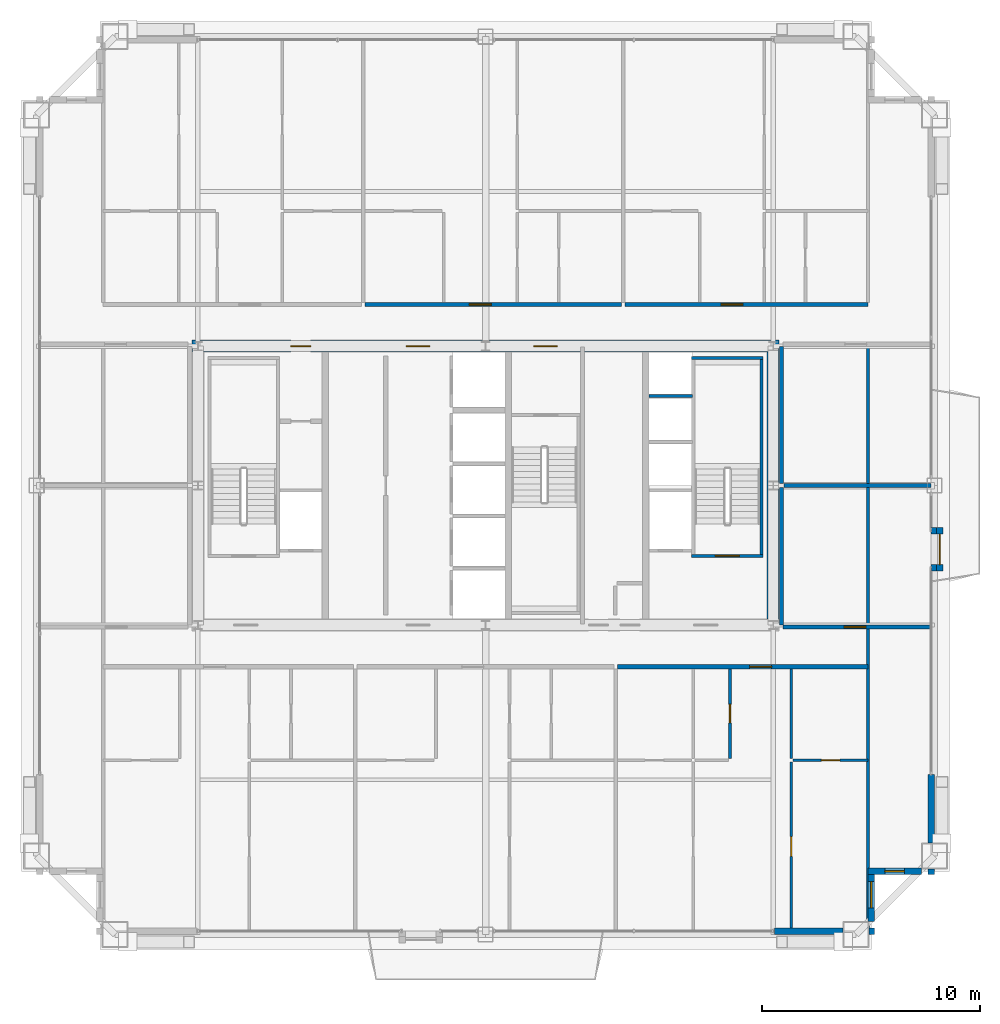
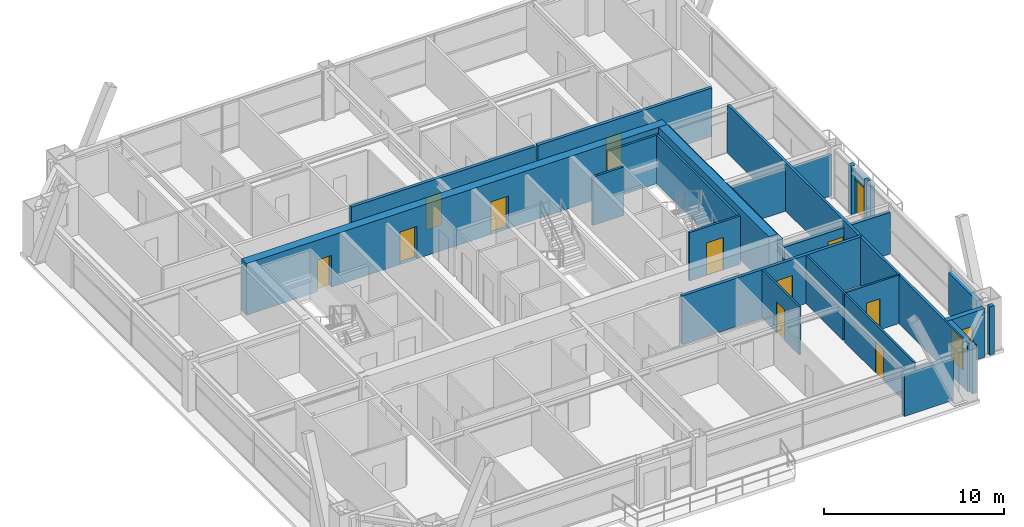
# One storey, part 32 of 35: 27 walls, 12 doors, 2 windows, 14 openings.
"""IFC4 building model written with IfcOpenShell, lengths in metres."""

from ifc_helpers import new_model, si_unit, direction, frame, frame_2d, origin, place, context, subcontext, project, spatial, rectangle, extrude, source, transform, mapped, material, layer, layer_set, type_object, element, fill, save


model = new_model("IFC4")

# Units and contexts
model_context = context("Model", 3, precision=1e-05, world=origin(), true_north=direction((0.0, 1.0)))
body_context = subcontext(model_context, "Body", "Model", "MODEL_VIEW")
ifc_project = project(units=[si_unit("LENGTHUNIT", "METRE"), si_unit("AREAUNIT", "SQUARE_METRE"), si_unit("VOLUMEUNIT", "CUBIC_METRE"), si_unit("PLANEANGLEUNIT", "RADIAN"), si_unit("MASSUNIT", "GRAM", prefix="KILO"), si_unit("THERMODYNAMICTEMPERATUREUNIT", "KELVIN"), si_unit("POWERUNIT", "WATT")], contexts=[model_context])

# Site, building, storey
site_placement = place(None, origin())
site = spatial("IfcSite", under=ifc_project, at=site_placement, CompositionType="ELEMENT")
building_placement = place(site_placement, origin())
building = spatial("IfcBuilding", under=site, at=building_placement, Name="Yuzanri Waterfront Tower", CompositionType="ELEMENT")
storey_placement = place(building_placement, frame((0.0, 0.0, 248.60009765625)))
storey = spatial("IfcBuildingStorey", under=building, at=storey_placement, Name="L66", CompositionType="ELEMENT", Elevation=248.60009765625)

# Wall, opening, door
ifc_material_1 = material(Name="Moisture-Resistant Gypsum Stud Wall", Category="gypsum")
ifc_layer_1 = layer(ifc_material_1, 0.1201171875)
ifc_layer_set_1 = layer_set([ifc_layer_1], Name="Moisture-Resistant Gypsum Stud Wall")
wall_type_1 = type_object("IfcWallType", Name="Bathroom and Kitchen Wet Partition 120", PredefinedType="PARTITIONING", material=ifc_layer_set_1)
wall_1_placement = place(storey_placement, frame((48.218994140625, 13.280029296875, 0.0), z_axis=(0.0, 0.0, 1.0), x_axis=(0.0, 1.0, 0.0)))
wall_1 = element("IfcWall", 1, at=wall_1_placement, inside=storey, type_object=wall_type_1, Name="L66 Partition UW-L66-RS3-SUB-2-E", PredefinedType="PARTITIONING", context=body_context, shape_type="SweptSolid", body=[
    extrude(rectangle(XDim=4.10986328125, YDim=0.1201171875, at=frame_2d((2.054931640625, 0.0))), origin(), (0.0, 0.0, 1.0), 3.27978515625),
])
opening_1_placement = place(wall_1_placement, frame((1.6298828125, 0.0, 0.0)))
opening_1 = element("IfcOpeningElement", 2, at=opening_1_placement, cuts=wall_1, Name="Opening ID-0850", PredefinedType="OPENING", context=body_context, shape_type="SweptSolid", body=[
    extrude(rectangle(XDim=0.85009765625, YDim=2.10009765625, at=frame_2d((0.425048828125, 1.050048828125))), frame((0.0, 0.074951171875, 0.0), z_axis=(0.0, -1.0, 0.0), x_axis=(1.0, 0.0, 0.0)), (0.0, 0.0, 1.0), 0.14990234375),
])
ifc_material_2 = material(Name="Moisture-Resistant Lacquered Timber", Category="wood")
door_type_1 = type_object("IfcDoorType", Name="En-Suite Bathroom and Kitchen Swing Door 850x2100", OperationType="NOTDEFINED", PredefinedType="DOOR", material=ifc_material_2)
shared_shape_1 = source(origin(), body_context, "Body", "SweptSolid", [
    extrude(rectangle(XDim=0.85009765625, YDim=2.10009765625, at=frame_2d((0.425048828125, 1.050048828125))), frame((0.0, 0.02490234375, 0.0), z_axis=(0.0, -1.0, 0.0), x_axis=(1.0, 0.0, 0.0)), (0.0, 0.0, 1.0), 0.050048828125),
])
door_1_placement = place(opening_1_placement, origin())
door_1 = element("IfcDoor", 3, at=door_1_placement, inside=storey, type_object=door_type_1, Name="L66 Suite Interior Room Door", OperationType="SINGLE_SWING_RIGHT", OverallHeight=2.10009765625, OverallWidth=0.85009765625, PredefinedType="DOOR", context=body_context, shape_type="MappedRepresentation", body=[
    mapped(shared_shape_1, transform((0.0, 0.0, 0.0), scale=1.0)),
])
fill(opening_1, door_1)

wall_2_placement = place(storey_placement, frame((51.10693359375, 13.199951171875, 0.0), z_axis=(0.0, 0.0, 1.0), x_axis=(1.0, 0.0, 0.0)))
wall_2 = element("IfcWall", 4, at=wall_2_placement, inside=storey, type_object=wall_type_1, Name="L66 Partition UW-L66-RS3-SUB-3-S", PredefinedType="PARTITIONING", context=body_context, shape_type="SweptSolid", body=[
    extrude(rectangle(XDim=3.453125, YDim=0.1201171875, at=frame_2d((1.7265625, 0.0))), origin(), (0.0, 0.0, 1.0), 3.27978515625),
])
opening_2_placement = place(wall_2_placement, frame((1.301513671875, 0.0, 0.0)))
opening_2 = element("IfcOpeningElement", 5, at=opening_2_placement, cuts=wall_2, Name="Opening ID-0850", PredefinedType="OPENING", context=body_context, shape_type="SweptSolid", body=[
    extrude(rectangle(XDim=0.85009765625, YDim=2.10009765625, at=frame_2d((0.425048828125, 1.050048828125))), frame((0.0, 0.074951171875, 0.0), z_axis=(0.0, -1.0, 0.0), x_axis=(1.0, 0.0, 0.0)), (0.0, 0.0, 1.0), 0.14990234375),
])
door_2_placement = place(opening_2_placement, origin())
door_2 = element("IfcDoor", 6, at=door_2_placement, inside=storey, type_object=door_type_1, Name="L66 Suite Interior Room Door", OperationType="SINGLE_SWING_LEFT", OverallHeight=2.10009765625, OverallWidth=0.85009765625, PredefinedType="DOOR", context=body_context, shape_type="MappedRepresentation", body=[
    mapped(shared_shape_1, transform((0.0, 0.0, 0.0), scale=1.0)),
])
fill(opening_2, door_2)

wall_3_placement = place(storey_placement, frame((51.027099609375, 5.35009765625, 0.0), z_axis=(0.0, 0.0, 1.0), x_axis=(0.0, 1.0, 0.0)))
wall_3 = element("IfcWall", 7, at=wall_3_placement, inside=storey, type_object=wall_type_1, Name="L66 Partition UW-L66-RS3-SUB-5-W", PredefinedType="PARTITIONING", context=body_context, shape_type="SweptSolid", body=[
    extrude(rectangle(XDim=7.77001953125, YDim=0.1201171875, at=frame_2d((3.885009765625, 0.0))), origin(), (0.0, 0.0, 1.0), 3.27978515625),
])
opening_3_placement = place(wall_3_placement, frame((3.43505859375, 0.0, 0.0)))
opening_3 = element("IfcOpeningElement", 8, at=opening_3_placement, cuts=wall_3, Name="Opening ID-0900", PredefinedType="OPENING", context=body_context, shape_type="SweptSolid", body=[
    extrude(rectangle(XDim=0.89990234375, YDim=2.14990234375, at=frame_2d((0.449951171875, 1.074951171875))), frame((0.0, 0.074951171875, 0.0), z_axis=(0.0, -1.0, 0.0), x_axis=(1.0, 0.0, 0.0)), (0.0, 0.0, 1.0), 0.14990234375),
])
ifc_material_3 = material(Name="Stained Walnut Veneer Timber", Category="wood")
door_type_2 = type_object("IfcDoorType", Name="Bedroom and Study Interior Swing Door 900x2150", OperationType="NOTDEFINED", PredefinedType="DOOR", material=ifc_material_3)
shared_shape_2 = source(origin(), body_context, "Body", "SweptSolid", [
    extrude(rectangle(XDim=0.89990234375, YDim=2.14990234375, at=frame_2d((0.449951171875, 1.074951171875))), frame((0.0, 0.02490234375, 0.0), z_axis=(0.0, -1.0, 0.0), x_axis=(1.0, 0.0, 0.0)), (0.0, 0.0, 1.0), 0.050048828125),
])
door_3_placement = place(opening_3_placement, origin())
door_3 = element("IfcDoor", 9, at=door_3_placement, inside=storey, type_object=door_type_2, Name="L66 Suite Interior Room Door", OperationType="SINGLE_SWING_LEFT", OverallHeight=2.14990234375, OverallWidth=0.89990234375, PredefinedType="DOOR", context=body_context, shape_type="MappedRepresentation", body=[
    mapped(shared_shape_2, transform((0.0, 0.0, 0.0), scale=1.0)),
])
fill(opening_3, door_3)

# Wall, opening, window
ifc_material_4 = material(Name="Honed Chongqing Dark Basalt Stone", Category="masonry")
ifc_layer_2 = layer(ifc_material_4, 0.300048828125)
ifc_layer_set_2 = layer_set([ifc_layer_2], Name="Honed Chongqing Dark Basalt Stone")
wall_type_2 = type_object("IfcWallType", Name="Bronze Rainscreen Insulated Spandrel Portal Wall 300", PredefinedType="SOLIDWALL", material=ifc_layer_set_2)
wall_4_placement = place(storey_placement, frame((54.550048828125, 8.10009765625, 0.0), z_axis=(0.0, 0.0, 1.0), x_axis=(1.0, 0.0, 0.0)))
wall_4 = element("IfcWall", 10, at=wall_4_placement, inside=storey, type_object=wall_type_2, Name="L66 Notched Corner Masonry Wall SE-X", PredefinedType="SOLIDWALL", context=body_context, shape_type="SweptSolid", body=[
    extrude(rectangle(XDim=2.449951171875, YDim=0.300048828125, at=frame_2d((1.22509765625, 0.0))), origin(), (0.0, 0.0, 1.0), 3.27978515625),
])
opening_4_placement = place(wall_4_placement, frame((0.77490234375, 0.0, 0.85009765625)))
opening_4 = element("IfcOpeningElement", 11, at=opening_4_placement, cuts=wall_4, Name="Opening WN-05", PredefinedType="OPENING", context=body_context, shape_type="SweptSolid", body=[
    extrude(rectangle(XDim=0.89990234375, YDim=1.5, at=frame_2d((0.449951171875, 0.75))), frame((0.0, 0.1650390625, 0.0), z_axis=(0.0, -1.0, 0.0), x_axis=(1.0, 0.0, 0.0)), (0.0, 0.0, 1.0), 0.329833984375),
])
ifc_material_5 = material(Name="Double-Silver Low-E Insulated Glass", Category="glass")
window_type_1 = type_object("IfcWindowType", Name="Anodized Bronze Service and Stairwell Smoke-Vent Window 900x1500", PartitioningType="SINGLE_PANEL", PredefinedType="WINDOW", material=ifc_material_5)
shared_shape_3 = source(origin(), body_context, "Body", "SweptSolid", [
    extrude(rectangle(XDim=0.89990234375, YDim=1.5, at=frame_2d((0.449951171875, 0.75))), frame((0.0, 0.030029296875, 0.0), z_axis=(0.0, -1.0, 0.0), x_axis=(1.0, 0.0, 0.0)), (0.0, 0.0, 1.0), 0.06005859375),
])
window_1_placement = place(opening_4_placement, origin())
window_1 = element("IfcWindow", 12, at=window_1_placement, inside=storey, type_object=window_type_1, Name="L66 Notched Corner Window SE-X", OverallHeight=1.5, OverallWidth=0.89990234375, PartitioningType="SINGLE_PANEL", PredefinedType="WINDOW", context=body_context, shape_type="MappedRepresentation", body=[
    mapped(shared_shape_3, transform((0.0, 0.0, 0.0), scale=1.0)),
])
fill(opening_4, window_1)

wall_5_placement = place(storey_placement, frame((54.699951171875, 5.800048828125, 0.0), z_axis=(0.0, 0.0, 1.0), x_axis=(0.0, 1.0, 0.0)))
wall_5 = element("IfcWall", 13, at=wall_5_placement, inside=storey, type_object=wall_type_2, Name="L66 Notched Corner Masonry Wall SE-Y", PredefinedType="SOLIDWALL", context=body_context, shape_type="SweptSolid", body=[
    extrude(rectangle(XDim=2.449951171875, YDim=0.300048828125, at=frame_2d((1.22509765625, 0.0))), origin(), (0.0, 0.0, 1.0), 3.27978515625),
])
opening_5_placement = place(wall_5_placement, frame((0.625, 0.0, 0.85009765625)))
opening_5 = element("IfcOpeningElement", 14, at=opening_5_placement, cuts=wall_5, Name="Opening WN-02", PredefinedType="OPENING", context=body_context, shape_type="SweptSolid", body=[
    extrude(rectangle(XDim=1.199951171875, YDim=2.10009765625, at=frame_2d((0.60009765625, 1.050048828125))), frame((0.0, 0.1650390625, 0.0), z_axis=(0.0, -1.0, 0.0), x_axis=(1.0, 0.0, 0.0)), (0.0, 0.0, 1.0), 0.329833984375),
])
ifc_material_6 = material(Name="Double-Silver Low-E Insulated Glass", Category="glass")
window_type_2 = type_object("IfcWindowType", Name="Anodized Bronze Notched Corner Deep-Set Slot Window 1200x2100", PartitioningType="SINGLE_PANEL", PredefinedType="WINDOW", material=ifc_material_6)
shared_shape_4 = source(origin(), body_context, "Body", "SweptSolid", [
    extrude(rectangle(XDim=1.199951171875, YDim=2.10009765625, at=frame_2d((0.60009765625, 1.050048828125))), frame((0.0, 0.030029296875, 0.0), z_axis=(0.0, -1.0, 0.0), x_axis=(1.0, 0.0, 0.0)), (0.0, 0.0, 1.0), 0.06005859375),
])
window_2_placement = place(opening_5_placement, origin())
window_2 = element("IfcWindow", 15, at=window_2_placement, inside=storey, type_object=window_type_2, Name="L66 Notched Corner Window SE-Y", OverallHeight=2.10009765625, OverallWidth=1.199951171875, PartitioningType="SINGLE_PANEL", PredefinedType="WINDOW", context=body_context, shape_type="MappedRepresentation", body=[
    mapped(shared_shape_4, transform((0.0, 0.0, 0.0), scale=1.0)),
])
fill(opening_5, window_2)

# Wall, opening, door
wall_6_placement = place(storey_placement, frame((57.85009765625, 21.875, 0.0), z_axis=(0.0, 0.0, 1.0), x_axis=(0.0, 1.0, 0.0)))
wall_6 = element("IfcWall", 16, at=wall_6_placement, inside=storey, type_object=wall_type_2, Name="L66 E Terrace Door Portal Wall", PredefinedType="SOLIDWALL", context=body_context, shape_type="SweptSolid", body=[
    extrude(rectangle(XDim=2.0, YDim=0.300048828125, at=frame_2d((1.0, 0.0))), origin(), (0.0, 0.0, 1.0), 2.8349609375),
])
opening_6_placement = place(wall_6_placement, frame((0.300048828125, 0.0, 0.0)))
opening_6 = element("IfcOpeningElement", 17, at=opening_6_placement, cuts=wall_6, Name="Opening TD-1400", PredefinedType="OPENING", context=body_context, shape_type="SweptSolid", body=[
    extrude(rectangle(XDim=1.39990234375, YDim=2.300048828125, at=frame_2d((0.699951171875, 1.14990234375))), frame((0.0, 0.1650390625, 0.0), z_axis=(0.0, -1.0, 0.0), x_axis=(1.0, 0.0, 0.0)), (0.0, 0.0, 1.0), 0.329833984375),
])
ifc_material_7 = material(Name="Anodized Architectural Bronze", Category="metal")
door_type_3 = type_object("IfcDoorType", Name="Anodized Bronze Balcony and Terrace Glazed Double Door 1400x2300", OperationType="NOTDEFINED", PredefinedType="DOOR", material=ifc_material_7)
shared_shape_5 = source(origin(), body_context, "Body", "SweptSolid", [
    extrude(rectangle(XDim=1.39990234375, YDim=2.300048828125, at=frame_2d((0.699951171875, 1.14990234375))), frame((0.0, 0.02490234375, 0.0), z_axis=(0.0, -1.0, 0.0), x_axis=(1.0, 0.0, 0.0)), (0.0, 0.0, 1.0), 0.050048828125),
])
door_4_placement = place(opening_6_placement, origin())
door_4 = element("IfcDoor", 18, at=door_4_placement, inside=storey, type_object=door_type_3, Name="L66 E Terrace Glazed Double Door", OperationType="DOUBLE_DOOR_SINGLE_SWING", OverallHeight=2.300048828125, OverallWidth=1.39990234375, PredefinedType="DOOR", context=body_context, shape_type="MappedRepresentation", body=[
    mapped(shared_shape_5, transform((0.0, 0.0, 0.0), scale=1.0)),
])
fill(opening_6, door_4)

# Wall, openings, doors
ifc_material_8 = material(Name="Concrete C50", Category="concrete")
ifc_layer_3 = layer(ifc_material_8, 0.550048828125)
ifc_layer_set_3 = layer_set([ifc_layer_3], Name="Concrete C50")
wall_type_3 = type_object("IfcWallType", Name="Concrete C50 Upper-Mid Zone Core Shear Wall 550", PredefinedType="SHEAR", material=ifc_layer_set_3)
wall_7_placement = place(storey_placement, frame((23.52490234375, 32.199951171875, 0.0), z_axis=(0.0, 0.0, 1.0), x_axis=(1.0, 0.0, 0.0)))
wall_7 = element("IfcWall", 19, at=wall_7_placement, inside=storey, type_object=wall_type_3, Name="L66 Core North Shear Wall", PredefinedType="SHEAR", context=body_context, shape_type="SweptSolid", body=[
    extrude(rectangle(XDim=26.9501953125, YDim=0.550048828125, at=frame_2d((13.47509765625, 0.0))), origin(), (0.0, 0.0, 1.0), 3.5),
])
opening_7_placement = place(wall_7_placement, frame((4.544921875, 0.0, 0.0)))
opening_7 = element("IfcOpeningElement", 20, at=opening_7_placement, cuts=wall_7, Name="Opening FD-0900", PredefinedType="OPENING", context=body_context, shape_type="SweptSolid", body=[
    extrude(rectangle(XDim=0.89990234375, YDim=2.14990234375, at=frame_2d((0.449951171875, 1.074951171875))), frame((0.0, 0.2900390625, 0.0), z_axis=(0.0, -1.0, 0.0), x_axis=(1.0, 0.0, 0.0)), (0.0, 0.0, 1.0), 0.579833984375),
])
opening_8_placement = place(wall_7_placement, frame((9.824951171875, 0.0, 0.0)))
opening_8 = element("IfcOpeningElement", 21, at=opening_8_placement, cuts=wall_7, Name="Opening FD-1100", PredefinedType="OPENING", context=body_context, shape_type="SweptSolid", body=[
    extrude(rectangle(XDim=1.10009765625, YDim=2.199951171875, at=frame_2d((0.550048828125, 1.10009765625))), frame((0.0, 0.2900390625, 0.0), z_axis=(0.0, -1.0, 0.0), x_axis=(1.0, 0.0, 0.0)), (0.0, 0.0, 1.0), 0.579833984375),
])
opening_9_placement = place(wall_7_placement, frame((15.675048828125, 0.0, 0.0)))
opening_9 = element("IfcOpeningElement", 22, at=opening_9_placement, cuts=wall_7, Name="Opening FD-1100", PredefinedType="OPENING", context=body_context, shape_type="SweptSolid", body=[
    extrude(rectangle(XDim=1.10009765625, YDim=2.199951171875, at=frame_2d((0.550048828125, 1.10009765625))), frame((0.0, 0.2900390625, 0.0), z_axis=(0.0, -1.0, 0.0), x_axis=(1.0, 0.0, 0.0)), (0.0, 0.0, 1.0), 0.579833984375),
])
ifc_material_9 = material(Name="Painted Galvanized Fire Steel", Category="steel")
door_type_4 = type_object("IfcDoorType", Name="Smoke-Proof Stair and Lobby Fire Door 1100x2200", OperationType="NOTDEFINED", PredefinedType="DOOR", material=ifc_material_9)
shared_shape_6 = source(origin(), body_context, "Body", "SweptSolid", [
    extrude(rectangle(XDim=1.10009765625, YDim=2.199951171875, at=frame_2d((0.550048828125, 1.10009765625))), frame((0.0, 0.02490234375, 0.0), z_axis=(0.0, -1.0, 0.0), x_axis=(1.0, 0.0, 0.0)), (0.0, 0.0, 1.0), 0.050048828125),
])
door_5_placement = place(opening_8_placement, origin())
door_5 = element("IfcDoor", 23, at=door_5_placement, inside=storey, type_object=door_type_4, Name="L66 Central Lift Lobby North Door", OperationType="SINGLE_SWING_RIGHT", OverallHeight=2.199951171875, OverallWidth=1.10009765625, PredefinedType="DOOR", context=body_context, shape_type="MappedRepresentation", body=[
    mapped(shared_shape_6, transform((0.0, 0.0, 0.0), scale=1.0)),
])
fill(opening_8, door_5)
door_6_placement = place(opening_9_placement, origin())
door_6 = element("IfcDoor", 24, at=door_6_placement, inside=storey, type_object=door_type_4, Name="L66 North Stair Lobby Door", OperationType="SINGLE_SWING_LEFT", OverallHeight=2.199951171875, OverallWidth=1.10009765625, PredefinedType="DOOR", context=body_context, shape_type="MappedRepresentation", body=[
    mapped(shared_shape_6, transform((0.0, 0.0, 0.0), scale=1.0)),
])
fill(opening_9, door_6)
ifc_material_10 = material(Name="Painted Galvanized Fire Steel", Category="steel")
door_type_5 = type_object("IfcDoorType", Name="Riser and Service Room Fire Door 900x2150", OperationType="NOTDEFINED", PredefinedType="DOOR", material=ifc_material_10)
shared_shape_7 = source(origin(), body_context, "Body", "SweptSolid", [
    extrude(rectangle(XDim=0.89990234375, YDim=2.14990234375, at=frame_2d((0.449951171875, 1.074951171875))), frame((0.0, 0.02490234375, 0.0), z_axis=(0.0, -1.0, 0.0), x_axis=(1.0, 0.0, 0.0)), (0.0, 0.0, 1.0), 0.050048828125),
])
door_7_placement = place(opening_7_placement, origin())
door_7 = element("IfcDoor", 25, at=door_7_placement, inside=storey, type_object=door_type_5, Name="L66 Telecom Riser Door", OperationType="SINGLE_SWING_LEFT", OverallHeight=2.14990234375, OverallWidth=0.89990234375, PredefinedType="DOOR", context=body_context, shape_type="MappedRepresentation", body=[
    mapped(shared_shape_7, transform((0.0, 0.0, 0.0), scale=1.0)),
])
fill(opening_7, door_7)

# Wall, opening, door
ifc_material_11 = material(Name="Concrete C40", Category="concrete")
ifc_layer_4 = layer(ifc_material_11, 0.139892578125)
ifc_layer_set_4 = layer_set([ifc_layer_4], Name="Concrete C40")
wall_type_4 = type_object("IfcWallType", Name="Core Stair Liner and Hoistway Shaft Wall 140", PredefinedType="SOLIDWALL", material=ifc_layer_set_4)
wall_8_placement = place(storey_placement, frame((46.4599609375, 22.570068359375, 0.0), z_axis=(0.0, 0.0, 1.0), x_axis=(1.0, 0.0, 0.0)))
wall_8 = element("IfcWall", 26, at=wall_8_placement, inside=storey, type_object=wall_type_4, Name="L66 Shaft Wall STW-L66-ST-02-S", PredefinedType="SOLIDWALL", context=body_context, shape_type="SweptSolid", body=[
    extrude(rectangle(XDim=3.280029296875, YDim=0.139892578125, at=frame_2d((1.64013671875, 0.0))), origin(), (0.0, 0.0, 1.0), 3.27978515625),
])
opening_10_placement = place(wall_8_placement, frame((1.090087890625, 0.0, 0.0)))
opening_10 = element("IfcOpeningElement", 27, at=opening_10_placement, cuts=wall_8, Name="Opening FD-1100", PredefinedType="OPENING", context=body_context, shape_type="SweptSolid", body=[
    extrude(rectangle(XDim=1.10009765625, YDim=2.199951171875, at=frame_2d((0.550048828125, 1.10009765625))), frame((0.0, 0.0849609375, 0.0), z_axis=(0.0, -1.0, 0.0), x_axis=(1.0, 0.0, 0.0)), (0.0, 0.0, 1.0), 0.169677734375),
])
door_8_placement = place(opening_10_placement, origin())
door_8 = element("IfcDoor", 28, at=door_8_placement, inside=storey, type_object=door_type_4, Name="L66 Stair ST-02 Fire Door", OperationType="SINGLE_SWING_RIGHT", OverallHeight=2.199951171875, OverallWidth=1.10009765625, PredefinedType="DOOR", context=body_context, shape_type="MappedRepresentation", body=[
    mapped(shared_shape_6, transform((0.0, 0.0, 0.0), scale=1.0)),
])
fill(opening_10, door_8)

ifc_material_12 = material(Name="Autoclaved Aerated Concrete Blockwork", Category="masonry")
ifc_layer_5 = layer(ifc_material_12, 0.199951171875)
ifc_layer_set_5 = layer_set([ifc_layer_5], Name="Autoclaved Aerated Concrete Blockwork")
wall_type_5 = type_object("IfcWallType", Name="Corridor and Unit Party Fire Wall 200", PredefinedType="PARTITIONING", material=ifc_layer_set_5)
wall_9_placement = place(storey_placement, frame((43.050048828125, 17.489990234375, 0.0), z_axis=(0.0, 0.0, 1.0), x_axis=(1.0, 0.0, 0.0)))
wall_9 = element("IfcWall", 29, at=wall_9_placement, inside=storey, type_object=wall_type_5, Name="L66 Partition UW-L66-RS3-CN", PredefinedType="PARTITIONING", context=body_context, shape_type="SweptSolid", body=[
    extrude(rectangle(XDim=11.510009765625, YDim=0.199951171875, at=frame_2d((5.7548828125, 0.0))), origin(), (0.0, 0.0, 1.0), 3.27978515625),
])
opening_11_placement = place(wall_9_placement, frame((6.072998046875, 0.0, 0.0)))
opening_11 = element("IfcOpeningElement", 30, at=opening_11_placement, cuts=wall_9, Name="Opening FD-1000", PredefinedType="OPENING", context=body_context, shape_type="SweptSolid", body=[
    extrude(rectangle(XDim=1.0, YDim=2.199951171875, at=frame_2d((0.5, 1.10009765625))), frame((0.0, 0.11474609375, 0.0), z_axis=(0.0, -1.0, 0.0), x_axis=(1.0, 0.0, 0.0)), (0.0, 0.0, 1.0), 0.229736328125),
])
ifc_material_13 = material(Name="Engineered Oak Fire-Rated Timber", Category="wood")
door_type_6 = type_object("IfcDoorType", Name="Guestroom and Apartment Entrance Fire Door 1000x2200", OperationType="NOTDEFINED", PredefinedType="DOOR", material=ifc_material_13)
shared_shape_8 = source(origin(), body_context, "Body", "SweptSolid", [
    extrude(rectangle(XDim=1.0, YDim=2.199951171875, at=frame_2d((0.5, 1.10009765625))), frame((0.0, 0.02490234375, 0.0), z_axis=(0.0, -1.0, 0.0), x_axis=(1.0, 0.0, 0.0)), (0.0, 0.0, 1.0), 0.050048828125),
])
door_9_placement = place(opening_11_placement, origin())
door_9 = element("IfcDoor", 31, at=door_9_placement, inside=storey, type_object=door_type_6, Name="L66 Apartment Living and Dining Salon Entrance Door", OperationType="SINGLE_SWING_RIGHT", OverallHeight=2.199951171875, OverallWidth=1.0, PredefinedType="DOOR", context=body_context, shape_type="MappedRepresentation", body=[
    mapped(shared_shape_8, transform((0.0, 0.0, 0.0), scale=1.0)),
])
fill(opening_11, door_9)

wall_10_placement = place(storey_placement, frame((31.4609375, 34.110107421875, 0.0), z_axis=(0.0, 0.0, 1.0), x_axis=(1.0, 0.0, 0.0)))
wall_10 = element("IfcWall", 32, at=wall_10_placement, inside=storey, type_object=wall_type_5, Name="L66 Partition UW-L66-RN2-CS", PredefinedType="PARTITIONING", context=body_context, shape_type="SweptSolid", body=[
    extrude(rectangle(XDim=11.781005859375, YDim=0.199951171875, at=frame_2d((5.890625, 0.0))), origin(), (0.0, 0.0, 1.0), 3.27978515625),
])
opening_12_placement = place(wall_10_placement, frame((4.801025390625, 0.0, 0.0)))
opening_12 = element("IfcOpeningElement", 33, at=opening_12_placement, cuts=wall_10, Name="Opening FD-1000", PredefinedType="OPENING", context=body_context, shape_type="SweptSolid", body=[
    extrude(rectangle(XDim=1.0, YDim=2.199951171875, at=frame_2d((0.5, 1.10009765625))), frame((0.0, 0.11474609375, 0.0), z_axis=(0.0, -1.0, 0.0), x_axis=(1.0, 0.0, 0.0)), (0.0, 0.0, 1.0), 0.229736328125),
])
door_10_placement = place(opening_12_placement, origin())
door_10 = element("IfcDoor", 34, at=door_10_placement, inside=storey, type_object=door_type_6, Name="L66 Apartment Living Room Entrance Door", OperationType="SINGLE_SWING_RIGHT", OverallHeight=2.199951171875, OverallWidth=1.0, PredefinedType="DOOR", context=body_context, shape_type="MappedRepresentation", body=[
    mapped(shared_shape_8, transform((0.0, 0.0, 0.0), scale=1.0)),
])
fill(opening_12, door_10)

wall_11_placement = place(storey_placement, frame((43.402099609375, 34.110107421875, 0.0), z_axis=(0.0, 0.0, 1.0), x_axis=(1.0, 0.0, 0.0)))
wall_11 = element("IfcWall", 35, at=wall_11_placement, inside=storey, type_object=wall_type_5, Name="L66 Partition UW-L66-RN3-CS", PredefinedType="PARTITIONING", context=body_context, shape_type="SweptSolid", body=[
    extrude(rectangle(XDim=11.157958984375, YDim=0.199951171875, at=frame_2d((5.5791015625, 0.0))), origin(), (0.0, 0.0, 1.0), 3.27978515625),
])
opening_13_placement = place(wall_11_placement, frame((4.408935546875, 0.0, 0.0)))
opening_13 = element("IfcOpeningElement", 36, at=opening_13_placement, cuts=wall_11, Name="Opening FD-1000", PredefinedType="OPENING", context=body_context, shape_type="SweptSolid", body=[
    extrude(rectangle(XDim=1.0, YDim=2.199951171875, at=frame_2d((0.5, 1.10009765625))), frame((0.0, 0.11474609375, 0.0), z_axis=(0.0, -1.0, 0.0), x_axis=(1.0, 0.0, 0.0)), (0.0, 0.0, 1.0), 0.229736328125),
])
door_11_placement = place(opening_13_placement, origin())
door_11 = element("IfcDoor", 37, at=door_11_placement, inside=storey, type_object=door_type_6, Name="L66 Apartment Living Room Entrance Door", OperationType="SINGLE_SWING_LEFT", OverallHeight=2.199951171875, OverallWidth=1.0, PredefinedType="DOOR", context=body_context, shape_type="MappedRepresentation", body=[
    mapped(shared_shape_8, transform((0.0, 0.0, 0.0), scale=1.0)),
])
fill(opening_13, door_11)

wall_12_placement = place(storey_placement, frame((50.64990234375, 19.31005859375, 0.0), z_axis=(0.0, 0.0, 1.0), x_axis=(1.0, 0.0, 0.0)))
wall_12 = element("IfcWall", 38, at=wall_12_placement, inside=storey, type_object=wall_type_5, Name="L66 Partition UW-L66-049-CS", PredefinedType="PARTITIONING", context=body_context, shape_type="SweptSolid", body=[
    extrude(rectangle(XDim=6.800048828125, YDim=0.199951171875, at=frame_2d((3.39990234375, 0.0))), origin(), (0.0, 0.0, 1.0), 2.824951171875),
])
opening_14_placement = place(wall_12_placement, frame((2.800048828125, 0.0, 0.0)))
opening_14 = element("IfcOpeningElement", 39, at=opening_14_placement, cuts=wall_12, Name="Opening FD-1000", PredefinedType="OPENING", context=body_context, shape_type="SweptSolid", body=[
    extrude(rectangle(XDim=1.0, YDim=2.199951171875, at=frame_2d((0.5, 1.10009765625))), frame((0.0, 0.11474609375, 0.0), z_axis=(0.0, -1.0, 0.0), x_axis=(1.0, 0.0, 0.0)), (0.0, 0.0, 1.0), 0.229736328125),
])
door_12_placement = place(opening_14_placement, origin())
door_12 = element("IfcDoor", 40, at=door_12_placement, inside=storey, type_object=door_type_6, Name="L66 Residents E Co-Working Office 1 Entrance Door", OperationType="SINGLE_SWING_RIGHT", OverallHeight=2.199951171875, OverallWidth=1.0, PredefinedType="DOOR", context=body_context, shape_type="MappedRepresentation", body=[
    mapped(shared_shape_8, transform((0.0, 0.0, 0.0), scale=1.0)),
])
fill(opening_14, door_12)

# Walls
shared_shape_9 = source(origin(), body_context, "Body", "SweptSolid", [
    extrude(rectangle(XDim=12.25, YDim=0.550048828125, at=frame_2d((6.125, 0.0))), origin(), (0.0, 0.0, 1.0), 3.5),
])
wall_13_placement = place(storey_placement, frame((50.199951171875, 19.675048828125, 0.0), z_axis=(0.0, 0.0, 1.0), x_axis=(0.0, 1.0, 0.0)))
element("IfcWall", 41, at=wall_13_placement, inside=storey, type_object=wall_type_3, Name="L66 Core East Shear Wall", PredefinedType="SHEAR", context=body_context, shape_type="MappedRepresentation", body=[
    mapped(shared_shape_9, transform((0.0, 0.0, 0.0), scale=1.0)),
])
shared_shape_10 = source(origin(), body_context, "Body", "SweptSolid", [
    extrude(rectangle(XDim=0.25, YDim=0.300048828125, at=frame_2d((0.125, 0.0))), origin(), (0.0, 0.0, 1.0), 3.27978515625),
])
for number, where, z_axis, x_axis, name in (
    (42, (54.60009765625, 5.35009765625, 0.0), (0.0, 0.0, 1.0), (1.0, 0.0, 0.0), "L66 Corner Column Shoulder Return CSE"),
    (43, (57.449951171875, 7.949951171875, 0.0), (0.0, 0.0, 1.0), (0.0, 1.0, 0.0), "L66 Corner Column Shoulder Return CES"),
    (44, (57.449951171875, 22.02490234375, 0.0), (0.0, 0.0, 1.0), (1.0, 0.0, 0.0), "L66 E Terrace Portal Left Return"),
    (45, (57.699951171875, 23.72509765625, 0.0), (0.0, 0.0, 1.0), (-1.0, 0.0, 0.0), "L66 E Terrace Portal Right Return"),
):
    element("IfcWall", number, at=place(storey_placement, frame(where, z_axis=z_axis, x_axis=x_axis)), inside=storey, type_object=wall_type_2, Name=name, PredefinedType="SOLIDWALL", context=body_context, shape_type="MappedRepresentation", body=[
        mapped(shared_shape_10, transform((0.0, 0.0, 0.0), scale=1.0)),
    ])
shared_shape_11 = source(origin(), body_context, "Body", "SweptSolid", [
    extrude(rectangle(XDim=3.14990234375, YDim=0.300048828125, at=frame_2d((1.574951171875, 0.0))), origin(), (0.0, 0.0, 1.0), 2.8349609375),
])
wall_14_placement = place(storey_placement, frame((50.25, 5.35009765625, 0.0), z_axis=(0.0, 0.0, 1.0), x_axis=(1.0, 0.0, 0.0)))
element("IfcWall", 46, at=wall_14_placement, inside=storey, type_object=wall_type_2, Name="L66 S Right Braced Masonry Shoulder", PredefinedType="SOLIDWALL", context=body_context, shape_type="MappedRepresentation", body=[
    mapped(shared_shape_11, transform((0.0, 0.0, 0.0), scale=1.0)),
])
shared_shape_12 = source(origin(), body_context, "Body", "SweptSolid", [
    extrude(rectangle(XDim=3.150146484375, YDim=0.300048828125, at=frame_2d((1.5751953125, 0.0))), origin(), (0.0, 0.0, 1.0), 2.8349609375),
])
wall_15_placement = place(storey_placement, frame((57.449951171875, 9.39990234375, 0.0), z_axis=(0.0, 0.0, 1.0), x_axis=(0.0, 1.0, 0.0)))
element("IfcWall", 47, at=wall_15_placement, inside=storey, type_object=wall_type_2, Name="L66 E Left Braced Masonry Shoulder", PredefinedType="SOLIDWALL", context=body_context, shape_type="MappedRepresentation", body=[
    mapped(shared_shape_12, transform((0.0, 0.0, 0.0), scale=1.0)),
])
shared_shape_13 = source(origin(), body_context, "Body", "SweptSolid", [
    extrude(rectangle(XDim=2.0, YDim=0.139892578125, at=frame_2d((1.0, 0.0))), origin(), (0.0, 0.0, 1.0), 3.27978515625),
])
wall_16_placement = place(storey_placement, frame((44.5, 29.89990234375, 0.0), z_axis=(0.0, 0.0, 1.0), x_axis=(1.0, 0.0, 0.0)))
element("IfcWall", 48, at=wall_16_placement, inside=storey, type_object=wall_type_4, Name="L66 Lift PL-10 Divider Wall", PredefinedType="SOLIDWALL", context=body_context, shape_type="MappedRepresentation", body=[
    mapped(shared_shape_13, transform((0.0, 0.0, 0.0), scale=1.0)),
])
shared_shape_14 = source(origin(), body_context, "Body", "SweptSolid", [
    extrude(rectangle(XDim=3.280029296875, YDim=0.139892578125, at=frame_2d((1.64013671875, 0.0))), origin(), (0.0, 0.0, 1.0), 3.27978515625),
])
wall_17_placement = place(storey_placement, frame((46.4599609375, 31.64990234375, 0.0), z_axis=(0.0, 0.0, 1.0), x_axis=(1.0, 0.0, 0.0)))
element("IfcWall", 49, at=wall_17_placement, inside=storey, type_object=wall_type_4, Name="L66 Stair ST-02 North Shaft Wall", PredefinedType="SOLIDWALL", context=body_context, shape_type="MappedRepresentation", body=[
    mapped(shared_shape_14, transform((0.0, 0.0, 0.0), scale=1.0)),
])
shared_shape_15 = source(origin(), body_context, "Body", "SweptSolid", [
    extrude(rectangle(XDim=8.940185546875, YDim=0.139892578125, at=frame_2d((4.47021484375, 0.0))), origin(), (0.0, 0.0, 1.0), 3.27978515625),
])
wall_18_placement = place(storey_placement, frame((49.669921875, 22.639892578125, 0.0), z_axis=(0.0, 0.0, 1.0), x_axis=(0.0, 1.0, 0.0)))
element("IfcWall", 50, at=wall_18_placement, inside=storey, type_object=wall_type_4, Name="L66 Stair ST-02 East Shaft Wall", PredefinedType="SOLIDWALL", context=body_context, shape_type="MappedRepresentation", body=[
    mapped(shared_shape_15, transform((0.0, 0.0, 0.0), scale=1.0)),
])
shared_shape_16 = source(origin(), body_context, "Body", "SweptSolid", [
    extrude(rectangle(XDim=4.10986328125, YDim=0.1201171875, at=frame_2d((2.054931640625, 0.0))), origin(), (0.0, 0.0, 1.0), 3.27978515625),
])
wall_19_placement = place(storey_placement, frame((51.027099609375, 13.280029296875, 0.0), z_axis=(0.0, 0.0, 1.0), x_axis=(0.0, 1.0, 0.0)))
element("IfcWall", 51, at=wall_19_placement, inside=storey, type_object=wall_type_1, Name="L66 Partition UW-L66-RS3-SUB-3-W", PredefinedType="PARTITIONING", context=body_context, shape_type="MappedRepresentation", body=[
    mapped(shared_shape_16, transform((0.0, 0.0, 0.0), scale=1.0)),
])
shared_shape_17 = source(origin(), body_context, "Body", "SweptSolid", [
    extrude(rectangle(XDim=6.764892578125, YDim=0.199951171875, at=frame_2d((3.38232421875, 0.0))), origin(), (0.0, 0.0, 1.0), 2.786865234375),
])
wall_20_placement = place(storey_placement, frame((50.68505859375, 25.800048828125, 0.0), z_axis=(0.0, 0.0, 1.0), x_axis=(1.0, 0.0, 0.0)))
element("IfcWall", 52, at=wall_20_placement, inside=storey, type_object=wall_type_5, Name="L66-049 Wing North Wall", PredefinedType="PARTITIONING", context=body_context, shape_type="MappedRepresentation", body=[
    mapped(shared_shape_17, transform((0.0, 0.0, 0.0), scale=1.0)),
])
shared_shape_18 = source(origin(), body_context, "Body", "SweptSolid", [
    extrude(rectangle(XDim=6.2900390625, YDim=0.199951171875, at=frame_2d((3.14501953125, 0.0))), origin(), (0.0, 0.0, 1.0), 3.27978515625),
])
for number, where, z_axis, x_axis, name in (
    (53, (50.580078125, 19.409912109375, 0.0), (0.0, 0.0, 1.0), (0.0, 1.0, 0.0), "L66-049 Wing Inner Core-Side Wall"),
    (54, (50.580078125, 25.89990234375, 0.0), (0.0, 0.0, 1.0), (0.0, 1.0, 0.0), "L66-050 Wing Inner Core-Side Wall"),
):
    element("IfcWall", number, at=place(storey_placement, frame(where, z_axis=z_axis, x_axis=x_axis)), inside=storey, type_object=wall_type_5, Name=name, PredefinedType="PARTITIONING", context=body_context, shape_type="MappedRepresentation", body=[
        mapped(shared_shape_18, transform((0.0, 0.0, 0.0), scale=1.0)),
    ])
ifc_material_14 = material(Name="Gypsum Fireboard Acoustic Stud Wall", Category="gypsum")
ifc_layer_6 = layer(ifc_material_14, 0.159912109375)
ifc_layer_set_6 = layer_set([ifc_layer_6], Name="Gypsum Fireboard Acoustic Stud Wall")
wall_type_6 = type_object("IfcWallType", Name="Acoustic Suite Demising Partition 160", PredefinedType="PARTITIONING", material=ifc_layer_set_6)
shared_shape_19 = source(origin(), body_context, "Body", "SweptSolid", [
    extrude(rectangle(XDim=26.68994140625, YDim=0.159912109375, at=frame_2d((13.344970703125, 0.0))), origin(), (0.0, 0.0, 1.0), 3.27978515625),
])
wall_21_placement = place(storey_placement, frame((54.550048828125, 5.5, 0.0), z_axis=(0.0, 0.0, 1.0), x_axis=(0.0, 1.0, 0.0)))
element("IfcWall", 55, at=wall_21_placement, inside=storey, type_object=wall_type_6, Name="L66 South Band East End Wall", PredefinedType="PARTITIONING", context=body_context, shape_type="MappedRepresentation", body=[
    mapped(shared_shape_19, transform((0.0, 0.0, 0.0), scale=1.0)),
])

save(model, "model.ifc")
